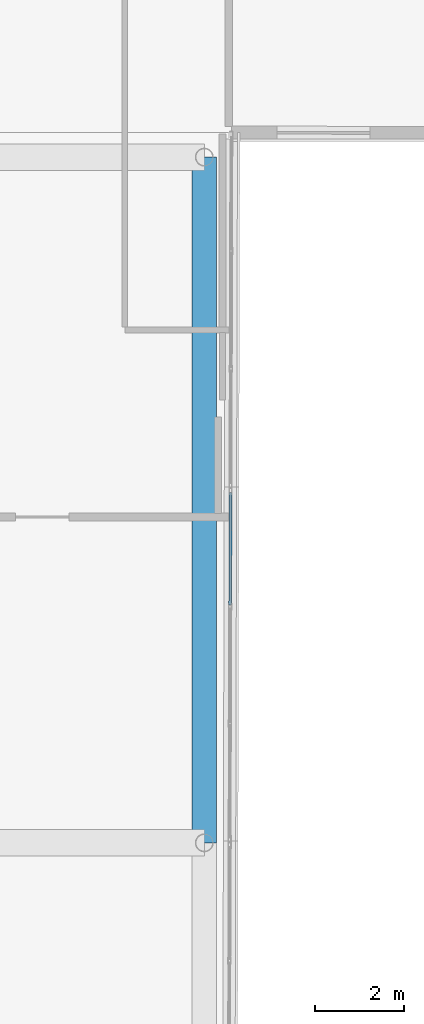
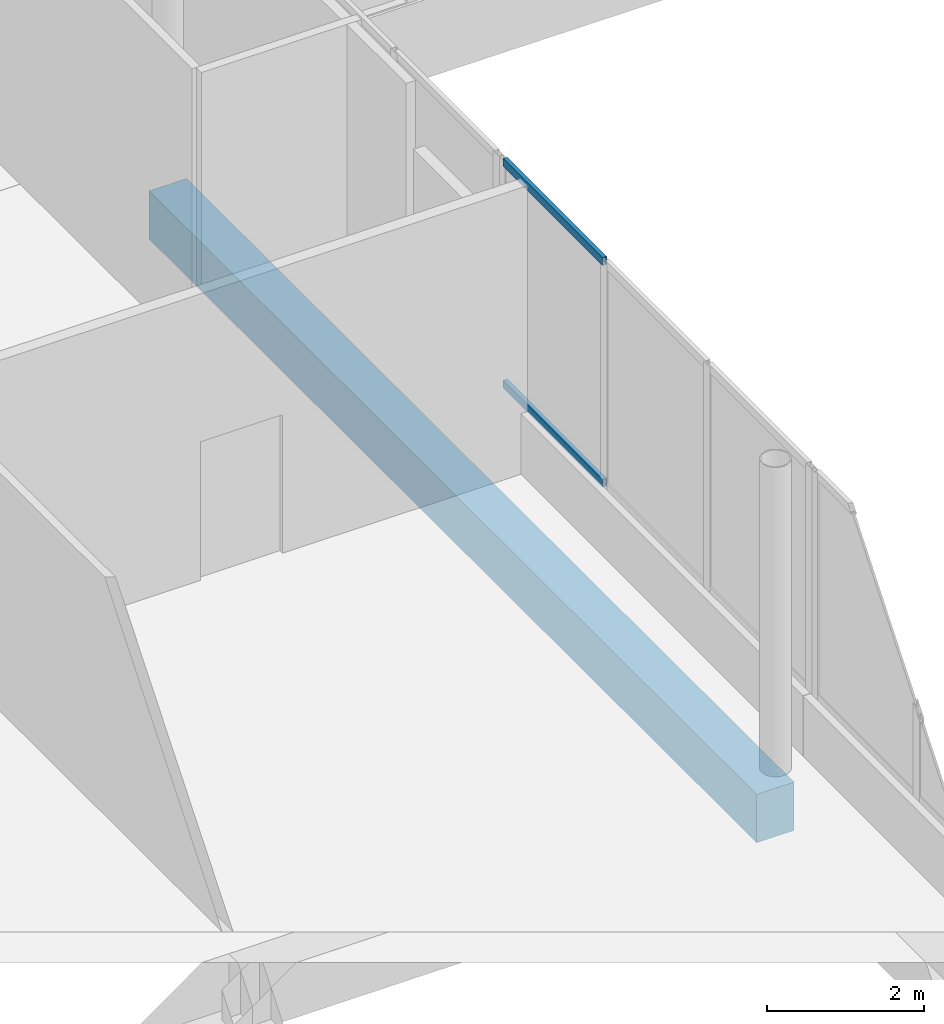
# One storey, part 87 of 168: 2 members, 1 beam, 1 element without a shape of its own.
"""IFC4 building model written with IfcOpenShell, lengths in metres."""

from ifc_helpers import new_model, si_unit, direction, frame, origin, origin_2d, place, context, subcontext, project, spatial, rectangle, hollow_rectangle, extrude, material, material_profile, profile_set, type_object, element, aggregate, save


model = new_model("IFC4")

# Units and contexts
model_context = context("Model", 3, precision=1e-05, world=origin(), true_north=direction((0.0, 1.0)))
body_context = subcontext(model_context, "Body", "Model", "MODEL_VIEW")
ifc_project = project(units=[si_unit("LENGTHUNIT", "METRE"), si_unit("AREAUNIT", "SQUARE_METRE"), si_unit("VOLUMEUNIT", "CUBIC_METRE"), si_unit("PLANEANGLEUNIT", "RADIAN"), si_unit("MASSUNIT", "GRAM", prefix="KILO")], contexts=[model_context])

# Site, building, storey
site_placement = place(None, origin())
site = spatial("IfcSite", under=ifc_project, at=site_placement, CompositionType="ELEMENT")
building_placement = place(site_placement, origin())
building = spatial("IfcBuilding", under=site, at=building_placement, Name="Selatvlak General Hospital", CompositionType="ELEMENT")
storey_placement = place(building_placement, frame((0.0, 0.0, 5.39990234375)))
storey = spatial("IfcBuildingStorey", under=building, at=storey_placement, Name="L01", CompositionType="ELEMENT", Elevation=5.39990234375)

# Beam
ifc_material_1 = material(Name="Concrete C40/50", Category="concrete")
ifc_material_profile_1 = material_profile(ifc_material_1, rectangle(XDim=0.550048828125, YDim=0.75, at=origin_2d()), Name="RC-BM 550x750")
ifc_profile_set_1 = profile_set([ifc_material_profile_1], Name="Concrete C40/50")
beam_type = type_object("IfcBeamType", Name="BM-G02", PredefinedType="BEAM", material=ifc_profile_set_1)
beam_placement = place(storey_placement, frame((81.050048828125, 68.0, -0.69482421875), z_axis=(0.0, 1.0, 0.0), x_axis=(-1.0, 0.0, 0.0)))
element("IfcBeam", 1, at=beam_placement, inside=storey, type_object=beam_type, Name="Beam BMR-L01-0596", PredefinedType="BEAM", context=body_context, shape_type="SweptSolid", body=[
    extrude(rectangle(XDim=0.550048828125, YDim=0.75, at=origin_2d()), origin(), (0.0, 0.0, 1.0), 15.449951171875),
])

# Curtain wall, members
ifc_material_2 = material(Name="Solar-control Low-E double glazing", Category="glass")
curtain_wall_type = type_object("IfcCurtainWallType", Name="CW-CW-02", PredefinedType="USERDEFINED", material=ifc_material_2)
curtain_wall_placement = place(storey_placement, origin())
curtain_wall = element("IfcCurtainWall", 2, at=curtain_wall_placement, inside=storey, type_object=curtain_wall_type, Name="Glazed facade curtain wall CW-L01-0227", ObjectType="UNITISED CURTAIN WALL", PredefinedType="USERDEFINED")
ifc_material_3 = material(Name="Dark anodised aluminium mullion", Category="aluminium")
ifc_material_profile_2 = material_profile(ifc_material_3, hollow_rectangle(XDim=0.06494140625, YDim=0.1201171875, WallThickness=0.00390625, at=origin_2d()), Name="AL-TRN 65x120x4")
ifc_profile_set_2 = profile_set([ifc_material_profile_2], Name="Dark anodised aluminium mullion")
member_type = type_object("IfcMemberType", Name="CWT-01", PredefinedType="USERDEFINED", material=ifc_profile_set_2)
member_1_placement = place(storey_placement, frame((81.639892578125, 75.889892578125, 0.97265625), z_axis=(-0.002599644595, -0.999996620918, 0.0), x_axis=(0.999996620918, -0.002599644595, 0.0)))
member_1 = element("IfcMember", 3, at=member_1_placement, type_object=member_type, Name="CW-02 transom 1.1", ObjectType="TRANSOM", PredefinedType="USERDEFINED", context=body_context, shape_type="SweptSolid", body=[
    extrude(hollow_rectangle(XDim=0.06494140625, YDim=0.1201171875, WallThickness=0.00390625, at=origin_2d()), origin(), (0.0, 0.0, 1.0), 2.53564453125),
])
member_2_placement = place(storey_placement, frame((81.639892578125, 75.889892578125, 4.41259765625), z_axis=(-0.002599644595, -0.999996620918, 0.0), x_axis=(0.999996620918, -0.002599644595, 0.0)))
member_2 = element("IfcMember", 4, at=member_2_placement, type_object=member_type, Name="CW-02 transom 1.2", ObjectType="TRANSOM", PredefinedType="USERDEFINED", context=body_context, shape_type="SweptSolid", body=[
    extrude(hollow_rectangle(XDim=0.06494140625, YDim=0.1201171875, WallThickness=0.00390625, at=origin_2d()), origin(), (0.0, 0.0, 1.0), 2.53564453125),
])
aggregate(curtain_wall, [member_1, member_2])

save(model, "model.ifc")
